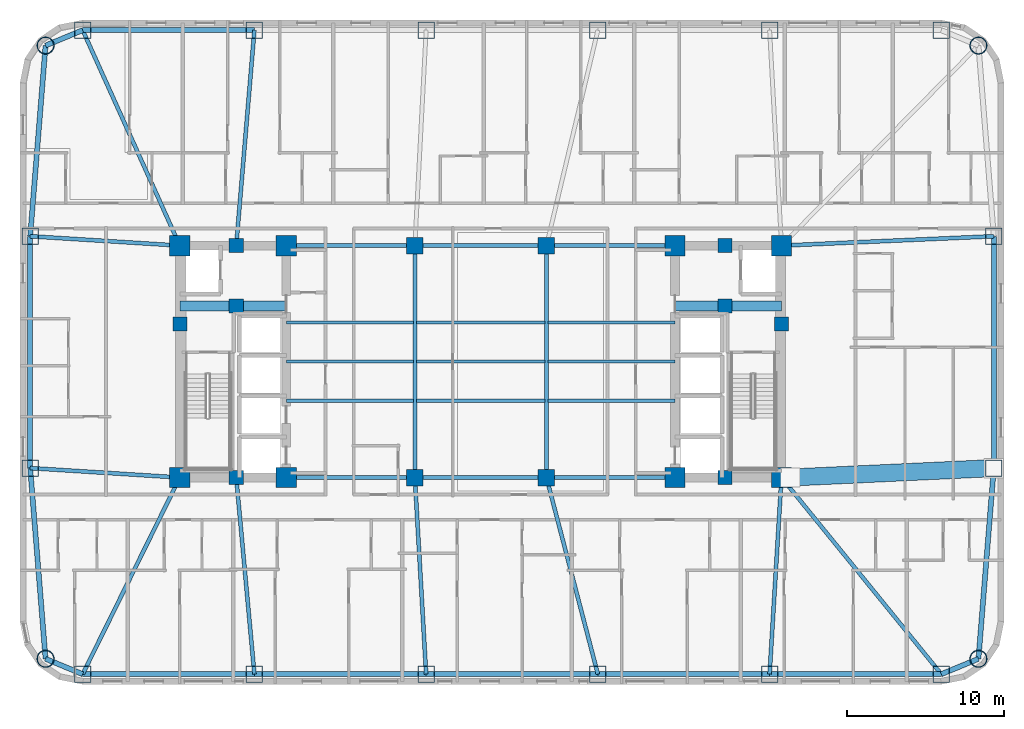
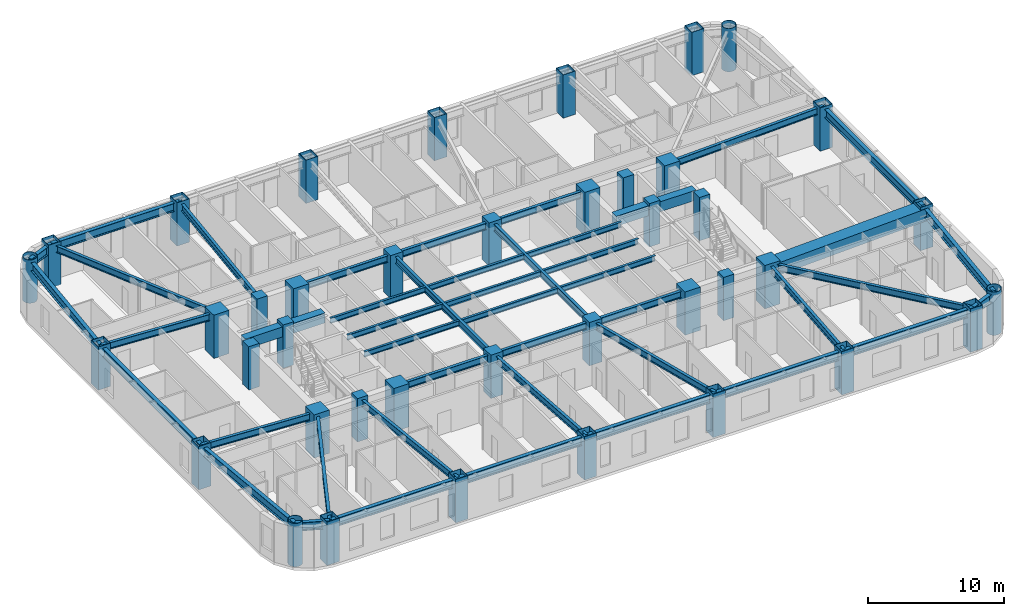
# One storey, part 1 of 12: 45 beams, 40 columns.
"""IFC4 building model written with IfcOpenShell, lengths in metres."""

import ifcopenshell
import ifcopenshell.guid

model = None  # the IFC model being written
_history = None  # IfcOwnerHistory: only IFC2X3 demands one
_inside = {}  # id of a spatial element -> (the spatial element, [elements in it])
_under = {}  # id of a project, library or spatial element -> (it, [spatial elements below it])
_declared = {}  # id of a project -> (the project, [libraries it declares])
_typed = {}  # id of a type object -> (the type object, [elements of that type])
_made_of = {}  # id of a material, layer set ... -> (it, [elements and type objects made of it])


def new_model(schema):
    """Start an empty IFC model of exactly this schema.

    Asked for "IFC4X3", IfcOpenShell would pick the latest addendum, in which some entities
    have other attributes; the version numbers below select the first issue.
    IFC2X3 requires an IfcOwnerHistory on every rooted entity: one is made here for all.
    """
    global model, _history
    if schema == "IFC4X3":
        model = ifcopenshell.file(schema_version=(4, 3, 0, 0))
    else:
        model = ifcopenshell.file(schema=schema)
    _inside.clear()
    _under.clear()
    _declared.clear()
    _typed.clear()
    _made_of.clear()
    _history = None
    if model.schema == "IFC2X3":
        org = make("IfcOrganization", Name="unknown")
        user = make(
            "IfcPersonAndOrganization",
            ThePerson=make("IfcPerson", FamilyName="unknown"),
            TheOrganization=org,
        )
        app = make(
            "IfcApplication",
            ApplicationDeveloper=org,
            Version="unknown",
            ApplicationFullName="unknown",
            ApplicationIdentifier="unknown",
        )
        _history = make(
            "IfcOwnerHistory",
            OwningUser=user,
            OwningApplication=app,
            ChangeAction="ADDED",
            CreationDate=0,
        )
    return model


def make(cls, **values):
    """One entity of the class cls with the attributes given. An attribute that is None is left unset."""
    return model.create_entity(
        cls, **{name: value for name, value in values.items() if value is not None}
    )


def rooted(cls, **values):
    """An entity with a GlobalId (a new one), such as an element, a storey or a relation."""
    return make(cls, GlobalId=ifcopenshell.guid.new(), OwnerHistory=_history, **values)


def si_unit(unit_type, name, prefix=None):
    """IfcSIUnit, for example si_unit("LENGTHUNIT", "METRE", prefix="MILLI")."""
    return make("IfcSIUnit", UnitType=unit_type, Prefix=prefix, Name=name)


def assignment(units):
    """IfcUnitAssignment: the units of a project."""
    return None if units is None else make("IfcUnitAssignment", Units=units)


def point(xyz):
    """IfcCartesianPoint."""
    return None if xyz is None else make("IfcCartesianPoint", Coordinates=xyz)


def direction(xyz):
    """IfcDirection."""
    return None if xyz is None else make("IfcDirection", DirectionRatios=xyz)


def frame(location, z_axis=None, x_axis=None):
    """IfcAxis2Placement3D, a coordinate frame: its origin and axes. An axis left out is left unset."""
    return make(
        "IfcAxis2Placement3D",
        Location=point(location),
        Axis=direction(z_axis),
        RefDirection=direction(x_axis),
    )


def frame_2d(location, x_axis=None):
    """IfcAxis2Placement2D, a coordinate frame in the plane: its origin and x axis."""
    return make(
        "IfcAxis2Placement2D", Location=point(location), RefDirection=direction(x_axis)
    )


def origin():
    """The frame at (0, 0, 0) with its axes left unset."""
    return frame((0.0, 0.0, 0.0))


def origin_2d():
    """The frame at (0, 0) in the plane with its x axis left unset."""
    return frame_2d((0.0, 0.0))


def place(relative_to, where):
    """IfcLocalPlacement: puts the frame where relative to a parent placement (None: the world)."""
    return make(
        "IfcLocalPlacement", PlacementRelTo=relative_to, RelativePlacement=where
    )


def context(
    kind, dimensions, precision=None, world=None, true_north=None, identifier=None
):
    """IfcGeometricRepresentationContext, for example the 3D "Model" context."""
    return make(
        "IfcGeometricRepresentationContext",
        ContextIdentifier=identifier,
        ContextType=kind,
        CoordinateSpaceDimension=dimensions,
        Precision=precision,
        WorldCoordinateSystem=world,
        TrueNorth=true_north,
    )


def subcontext(parent, identifier, kind, view, scale=None):
    """IfcGeometricRepresentationSubContext, for example "Body" below "Model"."""
    return make(
        "IfcGeometricRepresentationSubContext",
        ContextIdentifier=identifier,
        ContextType=kind,
        ParentContext=parent,
        TargetScale=scale,
        TargetView=view,
    )


def project(units=None, contexts=None):
    """IfcProject with its units and contexts."""
    return rooted(
        "IfcProject",
        Name="project",
        RepresentationContexts=contexts,
        UnitsInContext=assignment(units),
    )


def spatial(cls, under=None, at=None, **own):
    """A site, building, storey or space (cls), placed at a placement, below another one or the project."""
    s = rooted(cls, ObjectPlacement=at, **own)
    if under is not None:
        _under.setdefault(under.id(), (under, []))[1].append(s)
    return s


def profile(cls, at=None, kind="AREA", **sizes):
    """A parametric profile (cls). Its sizes go by their IFC names, for example OverallWidth=200.0."""
    return make(cls, ProfileType=kind, Position=at, **sizes)


def rectangle(**sizes):
    """IfcRectangleProfileDef."""
    return profile("IfcRectangleProfileDef", **sizes)


def hollow_rectangle(**sizes):
    """IfcRectangleHollowProfileDef."""
    return profile("IfcRectangleHollowProfileDef", **sizes)


def hollow_circle(**sizes):
    """IfcCircleHollowProfileDef."""
    return profile("IfcCircleHollowProfileDef", **sizes)


def i_section(**sizes):
    """IfcIShapeProfileDef."""
    return profile("IfcIShapeProfileDef", **sizes)


def extrude(swept, where, along, depth):
    """IfcExtrudedAreaSolid: the profile swept, set in the frame where, extruded along a direction by depth."""
    return make(
        "IfcExtrudedAreaSolid",
        SweptArea=swept,
        Position=where,
        ExtrudedDirection=direction(along),
        Depth=depth,
    )


def shape(context_of_items, identifier, shape_type, items):
    """IfcShapeRepresentation: the items that make up one representation, for example the "Body"."""
    return make(
        "IfcShapeRepresentation",
        ContextOfItems=context_of_items,
        RepresentationIdentifier=identifier,
        RepresentationType=shape_type,
        Items=items,
    )


def material(Name=None, Category=None):
    """IfcMaterial."""
    return make("IfcMaterial", Name=Name, Category=Category)


def material_profile(
    of_material, cross_section, Name=None, Category=None, Priority=None
):
    """IfcMaterialProfile: a cross section and its material."""
    return make(
        "IfcMaterialProfile",
        Name=Name,
        Material=of_material,
        Profile=cross_section,
        Priority=Priority,
        Category=Category,
    )


def profile_set(profiles, Name=None, composite=None):
    """IfcMaterialProfileSet."""
    return make(
        "IfcMaterialProfileSet",
        Name=Name,
        MaterialProfiles=profiles,
        CompositeProfile=composite,
    )


def made_of(thing, what):
    """Note that an element or type object is made of a material, layer set ...; save() writes the relation."""
    if what is not None:
        _made_of.setdefault(what.id(), (what, []))[1].append(thing)
    return thing


def type_object(cls, material=None, **own):
    """A type object (cls), such as IfcWallType, which elements share."""
    return made_of(rooted(cls, **own), material)


def element(
    cls,
    number,
    at=None,
    inside=None,
    cuts=None,
    type_object=None,
    material=None,
    context=None,
    identifier="Body",
    shape_type=None,
    held_by="IfcProductDefinitionShape",
    body=None,
    shapes=None,
    **own,
):
    """One element of the class cls, such as IfcWall. Its Tag is "e" and its number.

    at: its placement. inside: the storey or other place that contains it. cuts: it is an
    opening in that element (IfcRelVoidsElement). A single representation is given by context,
    identifier, shape_type and body (its items); several are given by shapes. held_by: the class
    of the entity that holds the representations. save() writes the other relations.
    """
    e = rooted(cls, Tag="e%d" % number, ObjectPlacement=at, **own)
    if body is not None:
        shapes = [shape(context, identifier, shape_type, body)]
    if shapes is not None:
        e.Representation = make(held_by, Representations=shapes)
    if inside is not None:
        _inside.setdefault(inside.id(), (inside, []))[1].append(e)
    if cuts is not None:
        rooted(
            "IfcRelVoidsElement", RelatingBuildingElement=cuts, RelatedOpeningElement=e
        )
    if type_object is not None:
        _typed.setdefault(type_object.id(), (type_object, []))[1].append(e)
    return made_of(e, material)


def aggregate(whole, parts):
    """IfcRelAggregates: a whole, such as a stair, and the parts it consists of."""
    return rooted("IfcRelAggregates", RelatingObject=whole, RelatedObjects=parts)


def save(model, path):
    """Write the relations noted so far, then the file.

    IfcRelAggregates (storeys below a building ...), IfcRelContainedInSpatialStructure (elements
    in a storey), IfcRelDefinesByType, IfcRelAssociatesMaterial and IfcRelDeclares: one each for
    every whole, place, type object, material and project.
    """
    for whole, parts in _under.values():
        aggregate(whole, parts)
    for where, things in _inside.values():
        rooted(
            "IfcRelContainedInSpatialStructure",
            RelatedElements=things,
            RelatingStructure=where,
        )
    for kind, things in _typed.values():
        rooted("IfcRelDefinesByType", RelatedObjects=things, RelatingType=kind)
    for what, things in _made_of.values():
        rooted("IfcRelAssociatesMaterial", RelatedObjects=things, RelatingMaterial=what)
    for by, libraries in _declared.values():
        rooted("IfcRelDeclares", RelatingContext=by, RelatedDefinitions=libraries)
    model.write(path)


model = new_model("IFC4")

# Units and contexts
model_context = context("Model", 3, precision=1e-05, world=origin(), true_north=direction((0.0, 1.0)))
body_context = subcontext(model_context, "Body", "Model", "MODEL_VIEW")
ifc_project = project(units=[si_unit("LENGTHUNIT", "METRE"), si_unit("AREAUNIT", "SQUARE_METRE"), si_unit("VOLUMEUNIT", "CUBIC_METRE"), si_unit("PLANEANGLEUNIT", "RADIAN"), si_unit("MASSUNIT", "GRAM", prefix="KILO")], contexts=[model_context])

# Site, building, storey
site_placement = place(None, origin())
site = spatial("IfcSite", under=ifc_project, at=site_placement, CompositionType="ELEMENT")
building_placement = place(site_placement, origin())
building = spatial("IfcBuilding", under=site, at=building_placement, Name="Voryun Gate Residences", CompositionType="ELEMENT")
storey_placement = place(building_placement, frame((0.0, 0.0, 101.39990234375)))
storey = spatial("IfcBuildingStorey", under=building, at=storey_placement, Name="L24", CompositionType="ELEMENT", Elevation=101.39990234375)

# Columns
ifc_material_1 = material(Name="Concrete C50/60", Category="concrete")
ifc_material_profile_1 = material_profile(ifc_material_1, rectangle(XDim=1.050048828125, YDim=1.050048828125, at=origin_2d()), Name="RC-1050x1050")
ifc_profile_set_1 = profile_set([ifc_material_profile_1], Name="Concrete C50/60")
column_type_1 = type_object("IfcColumnType", Name="COL_CORE_1050", PredefinedType="COLUMN", material=ifc_profile_set_1)
for number, where, z_axis, x_axis, name in (
    (1, (-4.199951171875, -7.39990234375, 0.0), (0.0, 0.0, 1.0), (1.0, 0.0, 0.0), "L24 Interior spine column SP-WS"),
    (2, (-4.199951171875, 7.39990234375, 0.0), (0.0, 0.0, 1.0), (1.0, 0.0, 0.0), "L24 Interior spine column SP-WN"),
    (3, (4.199951171875, -7.39990234375, 0.0), (0.0, 0.0, 1.0), (1.0, 0.0, 0.0), "L24 Interior spine column SP-ES"),
    (4, (4.199951171875, 7.39990234375, 0.0), (0.0, 0.0, 1.0), (1.0, 0.0, 0.0), "L24 Interior spine column SP-EN"),
):
    element("IfcColumn", number, at=place(storey_placement, frame(where, z_axis=z_axis, x_axis=x_axis)), inside=storey, type_object=column_type_1, Name=name, PredefinedType="COLUMN", context=body_context, shape_type="SweptSolid", body=[
        extrude(rectangle(XDim=1.050048828125, YDim=1.050048828125, at=origin_2d()), origin(), (0.0, 0.0, 1.0), 3.900146484375),
    ])
ifc_material_2 = material(Name="Concrete C50/60", Category="concrete")
ifc_material_profile_2 = material_profile(ifc_material_2, rectangle(XDim=0.89990234375, YDim=0.89990234375, at=origin_2d()), Name="RC-900x900")
ifc_profile_set_2 = profile_set([ifc_material_profile_2], Name="Concrete C50/60")
column_type_2 = type_object("IfcColumnType", Name="COL_CORE_900", PredefinedType="COLUMN", material=ifc_profile_set_2)
for number, where, z_axis, x_axis, name in (
    (5, (-19.199951171875, 2.39990234375, 0.0), (0.0, 0.0, 1.0), (1.0, 0.0, 0.0), "L24 Core boundary column WC-MW"),
    (6, (-15.60009765625, -7.39990234375, 0.0), (0.0, 0.0, 1.0), (1.0, 0.0, 0.0), "L24 Core boundary column WC-SM"),
    (7, (-15.60009765625, 7.39990234375, 0.0), (0.0, 0.0, 1.0), (1.0, 0.0, 0.0), "L24 Core boundary column WC-NM"),
    (8, (-15.60009765625, 3.550048828125, 0.0), (0.0, 0.0, 1.0), (1.0, 0.0, 0.0), "L24 Core boundary column WC-MM"),
    (9, (15.60009765625, 3.550048828125, 0.0), (0.0, 0.0, 1.0), (1.0, 0.0, 0.0), "L24 Core boundary column EC-MM"),
    (10, (15.60009765625, -7.39990234375, 0.0), (0.0, 0.0, 1.0), (1.0, 0.0, 0.0), "L24 Core boundary column EC-SM"),
    (11, (15.60009765625, 7.39990234375, 0.0), (0.0, 0.0, 1.0), (1.0, 0.0, 0.0), "L24 Core boundary column EC-NM"),
    (12, (19.199951171875, 2.39990234375, 0.0), (0.0, 0.0, 1.0), (1.0, 0.0, 0.0), "L24 Core boundary column EC-ME"),
):
    element("IfcColumn", number, at=place(storey_placement, frame(where, z_axis=z_axis, x_axis=x_axis)), inside=storey, type_object=column_type_2, Name=name, PredefinedType="COLUMN", context=body_context, shape_type="SweptSolid", body=[
        extrude(rectangle(XDim=0.89990234375, YDim=0.89990234375, at=origin_2d()), origin(), (0.0, 0.0, 1.0), 3.900146484375),
    ])
ifc_material_3 = material(Name="Steel SM420", Category="steel")
ifc_material_profile_3 = material_profile(ifc_material_3, hollow_circle(Radius=0.550048828125, WallThickness=0.035888671875, at=origin_2d()), Name="CHS-1100x36")
ifc_profile_set_3 = profile_set([ifc_material_profile_3], Name="Steel SM420")
column_type_3 = type_object("IfcColumnType", Name="COL_CRN_1100", PredefinedType="COLUMN", material=ifc_profile_set_3)
for number, where, z_axis, x_axis, name in (
    (13, (31.768798828125, -18.96875, 0.0), (0.0, 0.0, 1.0), (1.0, 0.0, 0.0), "L24 Exoskeleton column CSE"),
    (14, (31.768798828125, 20.168701171875, 0.0), (0.0, 0.0, 1.0), (1.0, 0.0, 0.0), "L24 Exoskeleton column CNE"),
    (15, (-27.768798828125, 20.168701171875, 0.0), (0.0, 0.0, 1.0), (1.0, 0.0, 0.0), "L24 Exoskeleton column CNW"),
    (16, (-27.768798828125, -18.96875, 0.0), (0.0, 0.0, 1.0), (1.0, 0.0, 0.0), "L24 Exoskeleton column CSW"),
):
    element("IfcColumn", number, at=place(storey_placement, frame(where, z_axis=z_axis, x_axis=x_axis)), inside=storey, type_object=column_type_3, Name=name, PredefinedType="COLUMN", context=body_context, shape_type="SweptSolid", body=[
        extrude(hollow_circle(Radius=0.550048828125, WallThickness=0.035888671875, at=origin_2d()), origin(), (0.0, 0.0, 1.0), 3.900146484375),
    ])
ifc_material_4 = material(Name="Steel SM420", Category="steel")
ifc_material_profile_4 = material_profile(ifc_material_4, hollow_rectangle(XDim=1.050048828125, YDim=1.050048828125, WallThickness=0.035888671875, at=origin_2d()), Name="BOX-1050x1050x36")
ifc_profile_set_4 = profile_set([ifc_material_profile_4], Name="Steel SM420")
column_type_4 = type_object("IfcColumnType", Name="COL_EXO_B2", PredefinedType="COLUMN", material=ifc_profile_set_4)
for number, where, z_axis, x_axis, name in (
    (17, (-25.39990234375, -19.949951171875, 0.0), (0.0, 0.0, 1.0), (1.0, 0.0, 0.0), "L24 Exoskeleton column S1"),
    (18, (-14.43994140625, -19.949951171875, 0.0), (0.0, 0.0, 1.0), (1.0, 0.0, 0.0), "L24 Exoskeleton column S2"),
    (19, (-3.47998046875, -19.949951171875, 0.0), (0.0, 0.0, 1.0), (1.0, 0.0, 0.0), "L24 Exoskeleton column S3"),
    (20, (7.47998046875, -19.949951171875, 0.0), (0.0, 0.0, 1.0), (1.0, 0.0, 0.0), "L24 Exoskeleton column S4"),
    (21, (18.43994140625, -19.949951171875, 0.0), (0.0, 0.0, 1.0), (1.0, 0.0, 0.0), "L24 Exoskeleton column S5"),
    (22, (29.39990234375, -19.949951171875, 0.0), (0.0, 0.0, 1.0), (1.0, 0.0, 0.0), "L24 Exoskeleton column S6"),
    (23, (32.75, -6.798095703125, 0.0), (0.0, 0.0, 1.0), (1.0, 0.0, 0.0), "L24 Exoskeleton column E1"),
    (24, (32.75, 7.998046875, 0.0), (0.0, 0.0, 1.0), (1.0, 0.0, 0.0), "L24 Exoskeleton column E2"),
    (25, (29.39990234375, 21.14990234375, 0.0), (0.0, 0.0, 1.0), (1.0, 0.0, 0.0), "L24 Exoskeleton column N1"),
    (26, (18.43994140625, 21.14990234375, 0.0), (0.0, 0.0, 1.0), (1.0, 0.0, 0.0), "L24 Exoskeleton column N2"),
    (27, (7.47998046875, 21.14990234375, 0.0), (0.0, 0.0, 1.0), (1.0, 0.0, 0.0), "L24 Exoskeleton column N3"),
    (28, (-3.47998046875, 21.14990234375, 0.0), (0.0, 0.0, 1.0), (1.0, 0.0, 0.0), "L24 Exoskeleton column N4"),
    (29, (-14.43994140625, 21.14990234375, 0.0), (0.0, 0.0, 1.0), (1.0, 0.0, 0.0), "L24 Exoskeleton column N5"),
    (30, (-25.39990234375, 21.14990234375, 0.0), (0.0, 0.0, 1.0), (1.0, 0.0, 0.0), "L24 Exoskeleton column N6"),
    (31, (-28.75, 7.998046875, 0.0), (0.0, 0.0, 1.0), (1.0, 0.0, 0.0), "L24 Exoskeleton column W1"),
    (32, (-28.75, -6.798095703125, 0.0), (0.0, 0.0, 1.0), (1.0, 0.0, 0.0), "L24 Exoskeleton column W2"),
):
    element("IfcColumn", number, at=place(storey_placement, frame(where, z_axis=z_axis, x_axis=x_axis)), inside=storey, type_object=column_type_4, Name=name, PredefinedType="COLUMN", context=body_context, shape_type="SweptSolid", body=[
        extrude(hollow_rectangle(XDim=1.050048828125, YDim=1.050048828125, WallThickness=0.035888671875, at=origin_2d()), origin(), (0.0, 0.0, 1.0), 3.900146484375),
    ])
ifc_material_5 = material(Name="Concrete C60/75", Category="concrete")
ifc_material_profile_5 = material_profile(ifc_material_5, rectangle(XDim=1.300048828125, YDim=1.300048828125, at=origin_2d()), Name="RC-1300x1300")
ifc_profile_set_5 = profile_set([ifc_material_profile_5], Name="Concrete C60/75")
column_type_5 = type_object("IfcColumnType", Name="COL_MEGA_1300", PredefinedType="COLUMN", material=ifc_profile_set_5)
for number, where, z_axis, x_axis, name in (
    (33, (-19.199951171875, -7.39990234375, 0.0), (0.0, 0.0, 1.0), (1.0, 0.0, 0.0), "L24 Core boundary column WC-SW"),
    (34, (-19.199951171875, 7.39990234375, 0.0), (0.0, 0.0, 1.0), (1.0, 0.0, 0.0), "L24 Core boundary column WC-NW"),
    (35, (-12.39990234375, -7.39990234375, 0.0), (0.0, 0.0, 1.0), (1.0, 0.0, 0.0), "L24 Core boundary column WC-SE"),
    (36, (-12.39990234375, 7.39990234375, 0.0), (0.0, 0.0, 1.0), (1.0, 0.0, 0.0), "L24 Core boundary column WC-NE"),
    (37, (12.39990234375, -7.39990234375, 0.0), (0.0, 0.0, 1.0), (1.0, 0.0, 0.0), "L24 Core boundary column EC-SW"),
    (38, (12.39990234375, 7.39990234375, 0.0), (0.0, 0.0, 1.0), (1.0, 0.0, 0.0), "L24 Core boundary column EC-NW"),
    (39, (19.199951171875, -7.39990234375, 0.0), (0.0, 0.0, 1.0), (1.0, 0.0, 0.0), "L24 Core boundary column EC-SE"),
    (40, (19.199951171875, 7.39990234375, 0.0), (0.0, 0.0, 1.0), (1.0, 0.0, 0.0), "L24 Core boundary column EC-NE"),
):
    element("IfcColumn", number, at=place(storey_placement, frame(where, z_axis=z_axis, x_axis=x_axis)), inside=storey, type_object=column_type_5, Name=name, PredefinedType="COLUMN", context=body_context, shape_type="SweptSolid", body=[
        extrude(rectangle(XDim=1.300048828125, YDim=1.300048828125, at=origin_2d()), origin(), (0.0, 0.0, 1.0), 3.900146484375),
    ])

# Beams
ifc_material_6 = material(Name="Steel SM420", Category="steel")
ifc_material_profile_6 = material_profile(ifc_material_6, hollow_rectangle(XDim=1.10009765625, YDim=1.10009765625, WallThickness=0.035888671875, at=origin_2d()), Name="BOX-1100x1100x36")
ifc_profile_set_6 = profile_set([ifc_material_profile_6], Name="Steel SM420")
beam_type_1 = type_object("IfcBeamType", Name="BM_ARCH_RIB", PredefinedType="USERDEFINED", material=ifc_profile_set_6)
beam_1_placement = place(storey_placement, frame((19.75, -7.39990234375, 3.10009765625), z_axis=(0.998930206616, 0.046243294759, 0.0), x_axis=(-0.046243294759, 0.998930206616, 0.0)))
element("IfcBeam", 41, at=beam_1_placement, inside=storey, type_object=beam_type_1, Name="BM-L24-RAD-E1", ObjectType="GIRDER", PredefinedType="USERDEFINED", context=body_context, shape_type="SweptSolid", body=[
    extrude(hollow_rectangle(XDim=1.10009765625, YDim=1.10009765625, WallThickness=0.035888671875, at=origin_2d()), origin(), (0.0, 0.0, 1.0), 13.013916015625),
])
ifc_material_7 = material(Name="Concrete C60/75", Category="concrete")
ifc_material_profile_7 = material_profile(ifc_material_7, rectangle(XDim=0.64990234375, YDim=0.89990234375, at=origin_2d()), Name="RC-650x900")
ifc_profile_set_7 = profile_set([ifc_material_profile_7], Name="Concrete C60/75")
beam_type_2 = type_object("IfcBeamType", Name="BM_COUP_RC900", PredefinedType="LINTEL", material=ifc_profile_set_7)
for number, where, z_axis, x_axis, name in (
    (42, (-19.199951171875, 3.550048828125, 3.2001953125), (1.0, 0.0, 0.0), (0.0, 1.0, 0.0), "BM-L24-WC1"),
    (43, (12.39990234375, 3.550048828125, 3.2001953125), (1.0, 0.0, 0.0), (0.0, 1.0, 0.0), "BM-L24-EC1"),
):
    element("IfcBeam", number, at=place(storey_placement, frame(where, z_axis=z_axis, x_axis=x_axis)), inside=storey, type_object=beam_type_2, Name=name, PredefinedType="LINTEL", context=body_context, shape_type="SweptSolid", body=[
        extrude(rectangle(XDim=0.64990234375, YDim=0.89990234375, at=origin_2d()), origin(), (0.0, 0.0, 1.0), 6.800048828125),
    ])
ifc_material_8 = material(Name="Steel SM355", Category="steel")
ifc_material_profile_8 = material_profile(ifc_material_8, i_section(OverallWidth=0.320068359375, OverallDepth=0.75, WebThickness=0.01611328125, FlangeThickness=0.028076171875, FilletRadius=0.01806640625, at=origin_2d()), Name="H-750x320x16x28")
ifc_profile_set_8 = profile_set([ifc_material_profile_8], Name="Steel SM355")
beam_type_3 = type_object("IfcBeamType", Name="BM_EXO_SPANDREL_L", PredefinedType="SPANDREL", material=ifc_profile_set_8)
for number, where, z_axis, x_axis, name in (
    (44, (-25.39990234375, -19.949951171875, 3.275146484375), (1.0, 0.0, 0.0), (0.0, 1.0, 0.0), "BM-L24-SPAND-01"),
    (45, (-14.43994140625, -19.949951171875, 3.275146484375), (1.0, 0.0, 0.0), (0.0, 1.0, 0.0), "BM-L24-SPAND-02"),
    (46, (-3.47998046875, -19.949951171875, 3.275146484375), (1.0, 0.0, 0.0), (0.0, 1.0, 0.0), "BM-L24-SPAND-03"),
    (47, (7.47998046875, -19.949951171875, 3.275146484375), (1.0, 0.0, 0.0), (0.0, 1.0, 0.0), "BM-L24-SPAND-04"),
    (48, (18.43994140625, -19.949951171875, 3.275146484375), (1.0, 0.0, 0.0), (0.0, 1.0, 0.0), "BM-L24-SPAND-05"),
):
    element("IfcBeam", number, at=place(storey_placement, frame(where, z_axis=z_axis, x_axis=x_axis)), inside=storey, type_object=beam_type_3, Name=name, PredefinedType="SPANDREL", context=body_context, shape_type="SweptSolid", body=[
        extrude(i_section(OverallWidth=0.320068359375, OverallDepth=0.75, WebThickness=0.01611328125, FlangeThickness=0.028076171875, FilletRadius=0.01806640625, at=origin_2d()), origin(), (0.0, 0.0, 1.0), 10.9599609375),
    ])
beam_2_placement = place(storey_placement, frame((29.39990234375, -19.949951171875, 3.275146484375), z_axis=(0.923883376753, 0.382674151414, 0.0), x_axis=(-0.382674151414, 0.923883376753, 0.0)))
element("IfcBeam", 49, at=beam_2_placement, inside=storey, type_object=beam_type_3, Name="BM-L24-SPAND-06", PredefinedType="SPANDREL", context=body_context, shape_type="SweptSolid", body=[
    extrude(i_section(OverallWidth=0.320068359375, OverallDepth=0.75, WebThickness=0.01611328125, FlangeThickness=0.028076171875, FilletRadius=0.01806640625, at=origin_2d()), origin(), (0.0, 0.0, 1.0), 2.56396484375),
])
beam_3_placement = place(storey_placement, frame((31.768798828125, -18.96875, 3.275146484375), z_axis=(0.080359517973, 0.996765944378, 0.0), x_axis=(-0.996765944378, 0.080359517973, 0.0)))
element("IfcBeam", 50, at=beam_3_placement, inside=storey, type_object=beam_type_3, Name="BM-L24-SPAND-07", PredefinedType="SPANDREL", context=body_context, shape_type="SweptSolid", body=[
    extrude(i_section(OverallWidth=0.320068359375, OverallDepth=0.75, WebThickness=0.01611328125, FlangeThickness=0.028076171875, FilletRadius=0.01806640625, at=origin_2d()), origin(), (0.0, 0.0, 1.0), 12.210205078125),
])
beam_4_placement = place(storey_placement, frame((32.75, -6.798095703125, 3.275146484375), z_axis=(0.0, 1.0, 0.0), x_axis=(-1.0, 0.0, 0.0)))
element("IfcBeam", 51, at=beam_4_placement, inside=storey, type_object=beam_type_3, Name="BM-L24-SPAND-08", PredefinedType="SPANDREL", context=body_context, shape_type="SweptSolid", body=[
    extrude(i_section(OverallWidth=0.320068359375, OverallDepth=0.75, WebThickness=0.01611328125, FlangeThickness=0.028076171875, FilletRadius=0.01806640625, at=origin_2d()), origin(), (0.0, 0.0, 1.0), 14.796142578125),
])
beam_5_placement = place(storey_placement, frame((-14.43994140625, 21.14990234375, 3.275146484375), z_axis=(-1.0, 0.0, 0.0), x_axis=(0.0, -1.0, 0.0)))
element("IfcBeam", 52, at=beam_5_placement, inside=storey, type_object=beam_type_3, Name="BM-L24-SPAND-15", PredefinedType="SPANDREL", context=body_context, shape_type="SweptSolid", body=[
    extrude(i_section(OverallWidth=0.320068359375, OverallDepth=0.75, WebThickness=0.01611328125, FlangeThickness=0.028076171875, FilletRadius=0.01806640625, at=origin_2d()), origin(), (0.0, 0.0, 1.0), 10.9599609375),
])
beam_6_placement = place(storey_placement, frame((-25.39990234375, 21.14990234375, 3.275146484375), z_axis=(-0.923883376753, -0.382674151414, 0.0), x_axis=(0.382674151414, -0.923883376753, 0.0)))
element("IfcBeam", 53, at=beam_6_placement, inside=storey, type_object=beam_type_3, Name="BM-L24-SPAND-16", PredefinedType="SPANDREL", context=body_context, shape_type="SweptSolid", body=[
    extrude(i_section(OverallWidth=0.320068359375, OverallDepth=0.75, WebThickness=0.01611328125, FlangeThickness=0.028076171875, FilletRadius=0.01806640625, at=origin_2d()), origin(), (0.0, 0.0, 1.0), 2.56396484375),
])
beam_7_placement = place(storey_placement, frame((-27.768798828125, 20.168701171875, 3.275146484375), z_axis=(-0.080359517973, -0.996765944378, 0.0), x_axis=(0.996765944378, -0.080359517973, 0.0)))
element("IfcBeam", 54, at=beam_7_placement, inside=storey, type_object=beam_type_3, Name="BM-L24-SPAND-17", PredefinedType="SPANDREL", context=body_context, shape_type="SweptSolid", body=[
    extrude(i_section(OverallWidth=0.320068359375, OverallDepth=0.75, WebThickness=0.01611328125, FlangeThickness=0.028076171875, FilletRadius=0.01806640625, at=origin_2d()), origin(), (0.0, 0.0, 1.0), 12.210205078125),
])
beam_8_placement = place(storey_placement, frame((-28.75, 7.998046875, 3.275146484375), z_axis=(0.0, -1.0, 0.0), x_axis=(1.0, 0.0, 0.0)))
element("IfcBeam", 55, at=beam_8_placement, inside=storey, type_object=beam_type_3, Name="BM-L24-SPAND-18", PredefinedType="SPANDREL", context=body_context, shape_type="SweptSolid", body=[
    extrude(i_section(OverallWidth=0.320068359375, OverallDepth=0.75, WebThickness=0.01611328125, FlangeThickness=0.028076171875, FilletRadius=0.01806640625, at=origin_2d()), origin(), (0.0, 0.0, 1.0), 14.796142578125),
])
beam_9_placement = place(storey_placement, frame((-28.75, -6.798095703125, 3.275146484375), z_axis=(0.080359517973, -0.996765944378, 0.0), x_axis=(0.996765944378, 0.080359517973, 0.0)))
element("IfcBeam", 56, at=beam_9_placement, inside=storey, type_object=beam_type_3, Name="BM-L24-SPAND-19", PredefinedType="SPANDREL", context=body_context, shape_type="SweptSolid", body=[
    extrude(i_section(OverallWidth=0.320068359375, OverallDepth=0.75, WebThickness=0.01611328125, FlangeThickness=0.028076171875, FilletRadius=0.01806640625, at=origin_2d()), origin(), (0.0, 0.0, 1.0), 12.210205078125),
])
beam_10_placement = place(storey_placement, frame((-27.768798828125, -18.96875, 3.275146484375), z_axis=(0.923883376753, -0.382674151414, 0.0), x_axis=(0.382674151414, 0.923883376753, 0.0)))
element("IfcBeam", 57, at=beam_10_placement, inside=storey, type_object=beam_type_3, Name="BM-L24-SPAND-20", PredefinedType="SPANDREL", context=body_context, shape_type="SweptSolid", body=[
    extrude(i_section(OverallWidth=0.320068359375, OverallDepth=0.75, WebThickness=0.01611328125, FlangeThickness=0.028076171875, FilletRadius=0.01806640625, at=origin_2d()), origin(), (0.0, 0.0, 1.0), 2.56396484375),
])
ifc_material_9 = material(Name="Steel SM355", Category="steel")
ifc_material_profile_9 = material_profile(ifc_material_9, i_section(OverallWidth=0.25, OverallDepth=0.60009765625, WebThickness=0.011962890625, FlangeThickness=0.02197265625, FilletRadius=0.01806640625, at=origin_2d()), Name="H-600x250x12x22")
ifc_profile_set_9 = profile_set([ifc_material_profile_9], Name="Steel SM355")
beam_type_4 = type_object("IfcBeamType", Name="BM_GIRD_600", PredefinedType="USERDEFINED", material=ifc_profile_set_9)
beam_11_placement = place(storey_placement, frame((-12.39990234375, -7.39990234375, 3.35009765625), z_axis=(1.0, 0.0, 0.0), x_axis=(0.0, 1.0, 0.0)))
element("IfcBeam", 58, at=beam_11_placement, inside=storey, type_object=beam_type_4, Name="BM-L24-SPG1-S", ObjectType="GIRDER", PredefinedType="USERDEFINED", context=body_context, shape_type="SweptSolid", body=[
    extrude(i_section(OverallWidth=0.25, OverallDepth=0.60009765625, WebThickness=0.011962890625, FlangeThickness=0.02197265625, FilletRadius=0.01806640625, at=origin_2d()), origin(), (0.0, 0.0, 1.0), 8.199951171875),
])
beam_12_placement = place(storey_placement, frame((-4.199951171875, -7.39990234375, 3.35009765625), z_axis=(1.0, 0.0, 0.0), x_axis=(0.0, 1.0, 0.0)))
element("IfcBeam", 59, at=beam_12_placement, inside=storey, type_object=beam_type_4, Name="BM-L24-SPG2-S", ObjectType="GIRDER", PredefinedType="USERDEFINED", context=body_context, shape_type="SweptSolid", body=[
    extrude(i_section(OverallWidth=0.25, OverallDepth=0.60009765625, WebThickness=0.011962890625, FlangeThickness=0.02197265625, FilletRadius=0.01806640625, at=origin_2d()), origin(), (0.0, 0.0, 1.0), 8.39990234375),
])
for number, where, z_axis, x_axis, name in (
    (60, (4.199951171875, -7.39990234375, 3.35009765625), (1.0, 0.0, 0.0), (0.0, 1.0, 0.0), "BM-L24-SPG3-S"),
    (61, (-12.39990234375, 7.39990234375, 3.35009765625), (1.0, 0.0, 0.0), (0.0, 1.0, 0.0), "BM-L24-SPG1-N"),
):
    element("IfcBeam", number, at=place(storey_placement, frame(where, z_axis=z_axis, x_axis=x_axis)), inside=storey, type_object=beam_type_4, Name=name, ObjectType="GIRDER", PredefinedType="USERDEFINED", context=body_context, shape_type="SweptSolid", body=[
        extrude(i_section(OverallWidth=0.25, OverallDepth=0.60009765625, WebThickness=0.011962890625, FlangeThickness=0.02197265625, FilletRadius=0.01806640625, at=origin_2d()), origin(), (0.0, 0.0, 1.0), 8.199951171875),
    ])
beam_13_placement = place(storey_placement, frame((-4.199951171875, 7.39990234375, 3.35009765625), z_axis=(1.0, 0.0, 0.0), x_axis=(0.0, 1.0, 0.0)))
element("IfcBeam", 62, at=beam_13_placement, inside=storey, type_object=beam_type_4, Name="BM-L24-SPG2-N", ObjectType="GIRDER", PredefinedType="USERDEFINED", context=body_context, shape_type="SweptSolid", body=[
    extrude(i_section(OverallWidth=0.25, OverallDepth=0.60009765625, WebThickness=0.011962890625, FlangeThickness=0.02197265625, FilletRadius=0.01806640625, at=origin_2d()), origin(), (0.0, 0.0, 1.0), 8.39990234375),
])
beam_14_placement = place(storey_placement, frame((4.199951171875, 7.39990234375, 3.35009765625), z_axis=(1.0, 0.0, 0.0), x_axis=(0.0, 1.0, 0.0)))
element("IfcBeam", 63, at=beam_14_placement, inside=storey, type_object=beam_type_4, Name="BM-L24-SPG3-N", ObjectType="GIRDER", PredefinedType="USERDEFINED", context=body_context, shape_type="SweptSolid", body=[
    extrude(i_section(OverallWidth=0.25, OverallDepth=0.60009765625, WebThickness=0.011962890625, FlangeThickness=0.02197265625, FilletRadius=0.01806640625, at=origin_2d()), origin(), (0.0, 0.0, 1.0), 8.199951171875),
])
for number, where, z_axis, x_axis, name in (
    (64, (-4.199951171875, -7.39990234375, 3.35009765625), (0.0, 1.0, 0.0), (-1.0, 0.0, 0.0), "BM-L24-SPX-W"),
    (65, (4.199951171875, -7.39990234375, 3.35009765625), (0.0, 1.0, 0.0), (-1.0, 0.0, 0.0), "BM-L24-SPX-E"),
):
    element("IfcBeam", number, at=place(storey_placement, frame(where, z_axis=z_axis, x_axis=x_axis)), inside=storey, type_object=beam_type_4, Name=name, ObjectType="GIRDER", PredefinedType="USERDEFINED", context=body_context, shape_type="SweptSolid", body=[
        extrude(i_section(OverallWidth=0.25, OverallDepth=0.60009765625, WebThickness=0.011962890625, FlangeThickness=0.02197265625, FilletRadius=0.01806640625, at=origin_2d()), origin(), (0.0, 0.0, 1.0), 14.7998046875),
    ])
beam_15_placement = place(storey_placement, frame((-19.199951171875, -7.39990234375, 3.35009765625), z_axis=(-0.442917927955, -0.896562161312, 0.0), x_axis=(0.896562161312, -0.442917927955, 0.0)))
element("IfcBeam", 66, at=beam_15_placement, inside=storey, type_object=beam_type_4, Name="BM-L24-RAD-S1", ObjectType="GIRDER", PredefinedType="USERDEFINED", context=body_context, shape_type="SweptSolid", body=[
    extrude(i_section(OverallWidth=0.25, OverallDepth=0.60009765625, WebThickness=0.011962890625, FlangeThickness=0.02197265625, FilletRadius=0.01806640625, at=origin_2d()), origin(), (0.0, 0.0, 1.0), 13.998046875),
])
beam_16_placement = place(storey_placement, frame((-15.60009765625, -7.39990234375, 3.35009765625), z_axis=(0.092049895705, -0.995754395773, 0.0), x_axis=(0.995754395773, 0.092049895705, 0.0)))
element("IfcBeam", 67, at=beam_16_placement, inside=storey, type_object=beam_type_4, Name="BM-L24-RAD-S2", ObjectType="GIRDER", PredefinedType="USERDEFINED", context=body_context, shape_type="SweptSolid", body=[
    extrude(i_section(OverallWidth=0.25, OverallDepth=0.60009765625, WebThickness=0.011962890625, FlangeThickness=0.02197265625, FilletRadius=0.01806640625, at=origin_2d()), origin(), (0.0, 0.0, 1.0), 12.603515625),
])
beam_17_placement = place(storey_placement, frame((-4.199951171875, -7.39990234375, 3.35009765625), z_axis=(0.057273791334, -0.998358509167, 0.0), x_axis=(0.998358509167, 0.057273791334, 0.0)))
element("IfcBeam", 68, at=beam_17_placement, inside=storey, type_object=beam_type_4, Name="BM-L24-RAD-S3", ObjectType="GIRDER", PredefinedType="USERDEFINED", context=body_context, shape_type="SweptSolid", body=[
    extrude(i_section(OverallWidth=0.25, OverallDepth=0.60009765625, WebThickness=0.011962890625, FlangeThickness=0.02197265625, FilletRadius=0.01806640625, at=origin_2d()), origin(), (0.0, 0.0, 1.0), 12.57080078125),
])
beam_18_placement = place(storey_placement, frame((4.199951171875, -7.39990234375, 3.35009765625), z_axis=(0.252862419611, -0.967502246379, 0.0), x_axis=(0.967502246379, 0.252862419611, 0.0)))
element("IfcBeam", 69, at=beam_18_placement, inside=storey, type_object=beam_type_4, Name="BM-L24-RAD-S4", ObjectType="GIRDER", PredefinedType="USERDEFINED", context=body_context, shape_type="SweptSolid", body=[
    extrude(i_section(OverallWidth=0.25, OverallDepth=0.60009765625, WebThickness=0.011962890625, FlangeThickness=0.02197265625, FilletRadius=0.01806640625, at=origin_2d()), origin(), (0.0, 0.0, 1.0), 12.9716796875),
])
beam_19_placement = place(storey_placement, frame((19.199951171875, -7.39990234375, 3.35009765625), z_axis=(-0.060447572917, -0.998171373527, 0.0), x_axis=(0.998171373527, -0.060447572917, 0.0)))
element("IfcBeam", 70, at=beam_19_placement, inside=storey, type_object=beam_type_4, Name="BM-L24-RAD-S5", ObjectType="GIRDER", PredefinedType="USERDEFINED", context=body_context, shape_type="SweptSolid", body=[
    extrude(i_section(OverallWidth=0.25, OverallDepth=0.60009765625, WebThickness=0.011962890625, FlangeThickness=0.02197265625, FilletRadius=0.01806640625, at=origin_2d()), origin(), (0.0, 0.0, 1.0), 12.572998046875),
])
beam_20_placement = place(storey_placement, frame((19.199951171875, -7.39990234375, 3.35009765625), z_axis=(0.63070571586, -0.776022100189, 0.0), x_axis=(0.776022100189, 0.63070571586, 0.0)))
element("IfcBeam", 71, at=beam_20_placement, inside=storey, type_object=beam_type_4, Name="BM-L24-RAD-S6", ObjectType="GIRDER", PredefinedType="USERDEFINED", context=body_context, shape_type="SweptSolid", body=[
    extrude(i_section(OverallWidth=0.25, OverallDepth=0.60009765625, WebThickness=0.011962890625, FlangeThickness=0.02197265625, FilletRadius=0.01806640625, at=origin_2d()), origin(), (0.0, 0.0, 1.0), 16.17236328125),
])
beam_21_placement = place(storey_placement, frame((19.199951171875, 7.39990234375, 3.35009765625), z_axis=(0.999027104014, 0.044100401882, 0.0), x_axis=(-0.044100401882, 0.999027104014, 0.0)))
element("IfcBeam", 72, at=beam_21_placement, inside=storey, type_object=beam_type_4, Name="BM-L24-RAD-E2", ObjectType="GIRDER", PredefinedType="USERDEFINED", context=body_context, shape_type="SweptSolid", body=[
    extrude(i_section(OverallWidth=0.25, OverallDepth=0.60009765625, WebThickness=0.011962890625, FlangeThickness=0.02197265625, FilletRadius=0.01806640625, at=origin_2d()), origin(), (0.0, 0.0, 1.0), 13.563232421875),
])
beam_22_placement = place(storey_placement, frame((-15.60009765625, 7.39990234375, 3.35009765625), z_axis=(0.084076255415, 0.996459323442, 0.0), x_axis=(-0.996459323442, 0.084076255415, 0.0)))
element("IfcBeam", 73, at=beam_22_placement, inside=storey, type_object=beam_type_4, Name="BM-L24-RAD-N5", ObjectType="GIRDER", PredefinedType="USERDEFINED", context=body_context, shape_type="SweptSolid", body=[
    extrude(i_section(OverallWidth=0.25, OverallDepth=0.60009765625, WebThickness=0.011962890625, FlangeThickness=0.02197265625, FilletRadius=0.01806640625, at=origin_2d()), origin(), (0.0, 0.0, 1.0), 13.798828125),
])
beam_23_placement = place(storey_placement, frame((-19.199951171875, 7.39990234375, 3.35009765625), z_axis=(-0.411051048554, 0.911612327408, 0.0), x_axis=(-0.911612327408, -0.411051048554, 0.0)))
element("IfcBeam", 74, at=beam_23_placement, inside=storey, type_object=beam_type_4, Name="BM-L24-RAD-N6", ObjectType="GIRDER", PredefinedType="USERDEFINED", context=body_context, shape_type="SweptSolid", body=[
    extrude(i_section(OverallWidth=0.25, OverallDepth=0.60009765625, WebThickness=0.011962890625, FlangeThickness=0.02197265625, FilletRadius=0.01806640625, at=origin_2d()), origin(), (0.0, 0.0, 1.0), 15.083251953125),
])
beam_24_placement = place(storey_placement, frame((-19.199951171875, 7.39990234375, 3.35009765625), z_axis=(-0.998044329736, 0.062510126233, 0.0), x_axis=(-0.062510126233, -0.998044329736, 0.0)))
element("IfcBeam", 75, at=beam_24_placement, inside=storey, type_object=beam_type_4, Name="BM-L24-RAD-W1", ObjectType="GIRDER", PredefinedType="USERDEFINED", context=body_context, shape_type="SweptSolid", body=[
    extrude(i_section(OverallWidth=0.25, OverallDepth=0.60009765625, WebThickness=0.011962890625, FlangeThickness=0.02197265625, FilletRadius=0.01806640625, at=origin_2d()), origin(), (0.0, 0.0, 1.0), 9.56884765625),
])
beam_25_placement = place(storey_placement, frame((-19.199951171875, -7.39990234375, 3.35009765625), z_axis=(-0.998020380726, 0.062891332119, 0.0), x_axis=(-0.062891332119, -0.998020380726, 0.0)))
element("IfcBeam", 76, at=beam_25_placement, inside=storey, type_object=beam_type_4, Name="BM-L24-RAD-W2", ObjectType="GIRDER", PredefinedType="USERDEFINED", context=body_context, shape_type="SweptSolid", body=[
    extrude(i_section(OverallWidth=0.25, OverallDepth=0.60009765625, WebThickness=0.011962890625, FlangeThickness=0.02197265625, FilletRadius=0.01806640625, at=origin_2d()), origin(), (0.0, 0.0, 1.0), 9.569091796875),
])
ifc_material_10 = material(Name="Steel SM355", Category="steel")
ifc_material_profile_10 = material_profile(ifc_material_10, i_section(OverallWidth=0.199951171875, OverallDepth=0.47998046875, WebThickness=0.010009765625, FlangeThickness=0.01806640625, FilletRadius=0.01806640625, at=origin_2d()), Name="H-480x200x10x18")
ifc_profile_set_10 = profile_set([ifc_material_profile_10], Name="Steel SM355")
beam_type_5 = type_object("IfcBeamType", Name="BM_SEC_480", PredefinedType="BEAM", material=ifc_profile_set_10)
beam_26_placement = place(storey_placement, frame((-12.39990234375, -2.5, 3.41015625), z_axis=(1.0, 0.0, 0.0), x_axis=(0.0, 1.0, 0.0)))
element("IfcBeam", 77, at=beam_26_placement, inside=storey, type_object=beam_type_5, Name="BM-L24-SEC-CS1", PredefinedType="BEAM", context=body_context, shape_type="SweptSolid", body=[
    extrude(i_section(OverallWidth=0.199951171875, OverallDepth=0.47998046875, WebThickness=0.010009765625, FlangeThickness=0.01806640625, FilletRadius=0.01806640625, at=origin_2d()), origin(), (0.0, 0.0, 1.0), 8.099853515625),
])
beam_27_placement = place(storey_placement, frame((-4.10009765625, -2.5, 3.41015625), z_axis=(1.0, 0.0, 0.0), x_axis=(0.0, 1.0, 0.0)))
element("IfcBeam", 78, at=beam_27_placement, inside=storey, type_object=beam_type_5, Name="BM-L24-SEC-CS2", PredefinedType="BEAM", context=body_context, shape_type="SweptSolid", body=[
    extrude(i_section(OverallWidth=0.199951171875, OverallDepth=0.47998046875, WebThickness=0.010009765625, FlangeThickness=0.01806640625, FilletRadius=0.01806640625, at=origin_2d()), origin(), (0.0, 0.0, 1.0), 8.2001953125),
])
for number, where, z_axis, x_axis, name in (
    (79, (4.300048828125, -2.5, 3.41015625), (1.0, 0.0, 0.0), (0.0, 1.0, 0.0), "BM-L24-SEC-CS3"),
    (80, (-12.39990234375, 0.0, 3.41015625), (1.0, 0.0, 0.0), (0.0, 1.0, 0.0), "BM-L24-SEC-CM1"),
):
    element("IfcBeam", number, at=place(storey_placement, frame(where, z_axis=z_axis, x_axis=x_axis)), inside=storey, type_object=beam_type_5, Name=name, PredefinedType="BEAM", context=body_context, shape_type="SweptSolid", body=[
        extrude(i_section(OverallWidth=0.199951171875, OverallDepth=0.47998046875, WebThickness=0.010009765625, FlangeThickness=0.01806640625, FilletRadius=0.01806640625, at=origin_2d()), origin(), (0.0, 0.0, 1.0), 8.099853515625),
    ])
beam_28_placement = place(storey_placement, frame((-4.10009765625, 0.0, 3.41015625), z_axis=(1.0, 0.0, 0.0), x_axis=(0.0, 1.0, 0.0)))
element("IfcBeam", 81, at=beam_28_placement, inside=storey, type_object=beam_type_5, Name="BM-L24-SEC-CM2", PredefinedType="BEAM", context=body_context, shape_type="SweptSolid", body=[
    extrude(i_section(OverallWidth=0.199951171875, OverallDepth=0.47998046875, WebThickness=0.010009765625, FlangeThickness=0.01806640625, FilletRadius=0.01806640625, at=origin_2d()), origin(), (0.0, 0.0, 1.0), 8.2001953125),
])
for number, where, z_axis, x_axis, name in (
    (82, (4.300048828125, 0.0, 3.41015625), (1.0, 0.0, 0.0), (0.0, 1.0, 0.0), "BM-L24-SEC-CM3"),
    (83, (-12.39990234375, 2.5, 3.41015625), (1.0, 0.0, 0.0), (0.0, 1.0, 0.0), "BM-L24-SEC-CN1"),
):
    element("IfcBeam", number, at=place(storey_placement, frame(where, z_axis=z_axis, x_axis=x_axis)), inside=storey, type_object=beam_type_5, Name=name, PredefinedType="BEAM", context=body_context, shape_type="SweptSolid", body=[
        extrude(i_section(OverallWidth=0.199951171875, OverallDepth=0.47998046875, WebThickness=0.010009765625, FlangeThickness=0.01806640625, FilletRadius=0.01806640625, at=origin_2d()), origin(), (0.0, 0.0, 1.0), 8.099853515625),
    ])
beam_29_placement = place(storey_placement, frame((-4.10009765625, 2.5, 3.41015625), z_axis=(1.0, 0.0, 0.0), x_axis=(0.0, 1.0, 0.0)))
element("IfcBeam", 84, at=beam_29_placement, inside=storey, type_object=beam_type_5, Name="BM-L24-SEC-CN2", PredefinedType="BEAM", context=body_context, shape_type="SweptSolid", body=[
    extrude(i_section(OverallWidth=0.199951171875, OverallDepth=0.47998046875, WebThickness=0.010009765625, FlangeThickness=0.01806640625, FilletRadius=0.01806640625, at=origin_2d()), origin(), (0.0, 0.0, 1.0), 8.2001953125),
])
beam_30_placement = place(storey_placement, frame((4.300048828125, 2.5, 3.41015625), z_axis=(1.0, 0.0, 0.0), x_axis=(0.0, 1.0, 0.0)))
element("IfcBeam", 85, at=beam_30_placement, inside=storey, type_object=beam_type_5, Name="BM-L24-SEC-CN3", PredefinedType="BEAM", context=body_context, shape_type="SweptSolid", body=[
    extrude(i_section(OverallWidth=0.199951171875, OverallDepth=0.47998046875, WebThickness=0.010009765625, FlangeThickness=0.01806640625, FilletRadius=0.01806640625, at=origin_2d()), origin(), (0.0, 0.0, 1.0), 8.099853515625),
])

save(model, "model.ifc")
